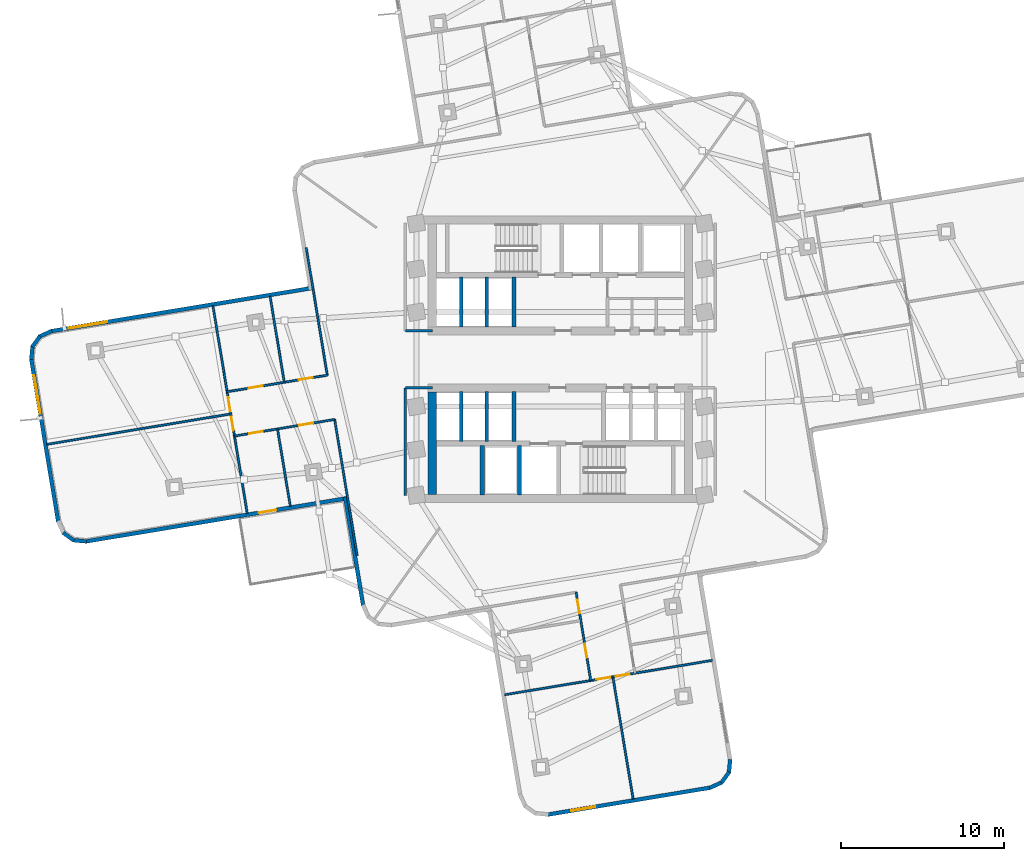
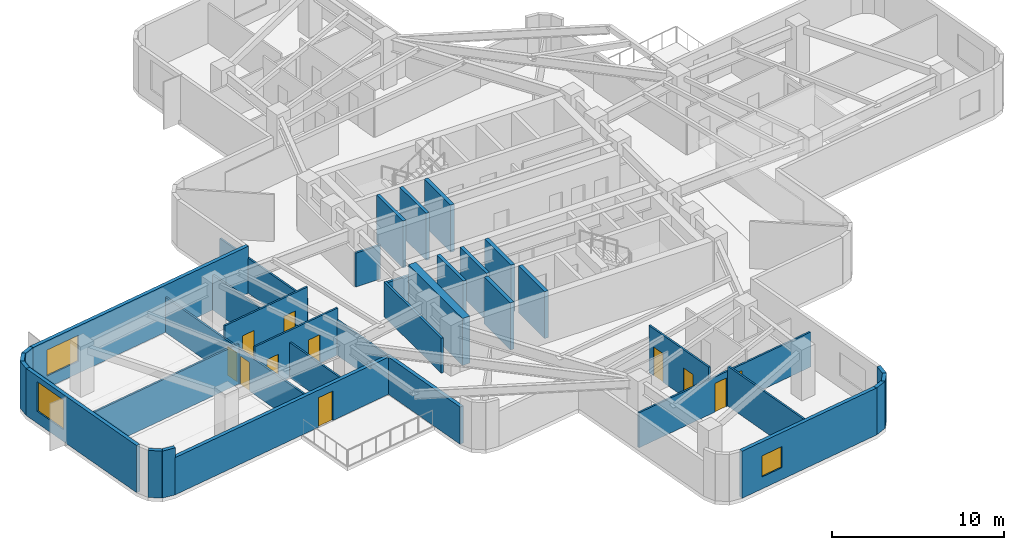
# One storey, part 3 of 9: 36 walls, 11 doors, 3 windows, 14 openings.
"""IFC4 building model written with IfcOpenShell, lengths in metres."""

from ifc_helpers import new_model, si_unit, direction, frame, frame_2d, origin, place, context, subcontext, project, spatial, rectangle, extrude, material, layer, layer_set, type_object, element, fill, save


model = new_model("IFC4")

# Units and contexts
model_context = context("Model", 3, precision=1e-05, world=origin(), true_north=direction((0.0, 1.0)))
body_context = subcontext(model_context, "Body", "Model", "MODEL_VIEW")
ifc_project = project(units=[si_unit("LENGTHUNIT", "METRE"), si_unit("AREAUNIT", "SQUARE_METRE"), si_unit("VOLUMEUNIT", "CUBIC_METRE"), si_unit("PLANEANGLEUNIT", "RADIAN"), si_unit("MASSUNIT", "GRAM", prefix="KILO")], contexts=[model_context])

# Site, building, storey
site_placement = place(None, origin())
site = spatial("IfcSite", under=ifc_project, at=site_placement, CompositionType="ELEMENT")
building_placement = place(site_placement, origin())
building = spatial("IfcBuilding", under=site, at=building_placement, Name="Solmarez Civic Tower", CompositionType="ELEMENT")
storey_placement = place(building_placement, frame((0.0, 0.0, 92.8798828125)))
storey = spatial("IfcBuildingStorey", under=building, at=storey_placement, Name="L24", CompositionType="ELEMENT", Elevation=92.8798828125)

# Wall
ifc_material_1 = material(Name="Concrete C60/75", Category="concrete")
ifc_layer_1 = layer(ifc_material_1, 0.5)
ifc_layer_set_1 = layer_set([ifc_layer_1], Name="Concrete C60/75")
wall_type_1 = type_object("IfcWallType", Name="WALL-CORE-500", PredefinedType="SHEAR", material=ifc_layer_set_1)
wall_1_placement = place(storey_placement, frame((-7.8701171875, -8.31005859375, 0.0), z_axis=(0.0, 0.0, 1.0), x_axis=(0.0, 1.0, 0.0)))
element("IfcWall", 1, at=wall_1_placement, inside=storey, type_object=wall_type_1, Name="L24 Split-Core Structural Wall SCW-W-L24", PredefinedType="SHEAR", context=body_context, shape_type="SweptSolid", body=[
    extrude(rectangle(XDim=6.31005859375, YDim=0.5, at=frame_2d((3.155029296875, 0.0))), origin(), (0.0, 0.0, 1.0), 3.340087890625),
])

# Wall, opening, door
ifc_material_2 = material(Name="Precast concrete C40/50", Category="concrete")
ifc_layer_2 = layer(ifc_material_2, 0.239990234375)
ifc_layer_set_2 = layer_set([ifc_layer_2], Name="Precast concrete C40/50")
wall_type_2 = type_object("IfcWallType", Name="WALL-EXT-240", PredefinedType="SOLIDWALL", material=ifc_layer_set_2)
wall_2_placement = place(storey_placement, frame((-13.114990234375, -8.537109375, 0.0), z_axis=(0.0, 0.0, 1.0), x_axis=(-0.986576548161, -0.163299463007, 0.0)))
wall_2 = element("IfcWall", 2, at=wall_2_placement, inside=storey, type_object=wall_type_2, Name="L24 Exterior Precast Wall 2", PredefinedType="SOLIDWALL", context=body_context, shape_type="SweptSolid", body=[
    extrude(rectangle(XDim=16.276611328125, YDim=0.239990234375, at=frame_2d((8.13818359375, 0.0))), origin(), (0.0, 0.0, 1.0), 2.64404296875),
])
opening_1_placement = place(wall_2_placement, frame((4.39990234375, 0.0, 0.0)))
opening_1 = element("IfcOpeningElement", 3, at=opening_1_placement, cuts=wall_2, Name="Opening D-06", PredefinedType="OPENING", context=body_context, shape_type="SweptSolid", body=[
    extrude(rectangle(XDim=1.10009765625, YDim=2.10009765625, at=frame_2d((0.550048828125, 1.050048828125))), frame((0.0, 0.1298828125, 0.0), z_axis=(0.0, -1.0, 0.0), x_axis=(1.0, 0.0, 0.0)), (0.0, 0.0, 1.0), 0.260009765625),
])
ifc_material_3 = material(Name="Bronze Anodised Aluminium Glazed Terrace Door", Category="aluminium")
door_type_1 = type_object("IfcDoorType", Name="DOOR-TERR-1100", OperationType="NOTDEFINED", PredefinedType="DOOR", material=ifc_material_3)
door_1_placement = place(opening_1_placement, origin())
door_1 = element("IfcDoor", 4, at=door_1_placement, inside=storey, type_object=door_type_1, Name="L24 Outdoor Terrace Glazed Door", OperationType="SINGLE_SWING_RIGHT", OverallHeight=2.10009765625, OverallWidth=1.10009765625, PredefinedType="DOOR", context=body_context, shape_type="SweptSolid", body=[
    extrude(rectangle(XDim=1.10009765625, YDim=2.10009765625, at=frame_2d((0.550048828125, 1.050048828125))), frame((0.0, 0.02490234375, 0.0), z_axis=(0.0, -1.0, 0.0), x_axis=(1.0, 0.0, 0.0)), (0.0, 0.0, 1.0), 0.050048828125),
])
fill(opening_1, door_1)

# Walls
wall_3_placement = place(storey_placement, frame((-29.123046875, -11.193115234375, 0.0), z_axis=(0.0, 0.0, 1.0), x_axis=(-0.995332708541, 0.096502846113, 0.0)))
element("IfcWall", 5, at=wall_3_placement, inside=storey, type_object=wall_type_2, Name="L24 Exterior Precast Wall 3", PredefinedType="SOLIDWALL", context=body_context, shape_type="SweptSolid", body=[
    extrude(rectangle(XDim=0.829833984375, YDim=0.239990234375, at=frame_2d((0.4150390625, 0.0))), origin(), (0.0, 0.0, 1.0), 3.340087890625),
])
wall_4_placement = place(storey_placement, frame((-29.904052734375, -11.1298828125, 0.0), z_axis=(0.0, 0.0, 1.0), x_axis=(-0.812516648433, 0.582937986427, 0.0)))
element("IfcWall", 6, at=wall_4_placement, inside=storey, type_object=wall_type_2, Name="L24 Exterior Precast Wall 4", PredefinedType="SOLIDWALL", context=body_context, shape_type="SweptSolid", body=[
    extrude(rectangle(XDim=0.814697265625, YDim=0.239990234375, at=frame_2d((0.4072265625, 0.0))), origin(), (0.0, 0.0, 1.0), 3.340087890625),
])

# Wall, opening, window
wall_5_placement = place(storey_placement, frame((-30.864013671875, -9.98388671875, 0.0), z_axis=(0.0, 0.0, 1.0), x_axis=(-0.163307635867, 0.986575195344, 0.0)))
wall_5 = element("IfcWall", 7, at=wall_5_placement, inside=storey, type_object=wall_type_2, Name="L24 Exterior Precast Wall 6", PredefinedType="SOLIDWALL", context=body_context, shape_type="SweptSolid", body=[
    extrude(rectangle(XDim=10.158447265625, YDim=0.239990234375, at=frame_2d((5.0791015625, 0.0))), origin(), (0.0, 0.0, 1.0), 3.340087890625),
])
opening_2_placement = place(wall_5_placement, frame((6.72412109375, 0.0, 0.85009765625)))
opening_2 = element("IfcOpeningElement", 8, at=opening_2_placement, cuts=wall_5, Name="Opening W-02", PredefinedType="OPENING", context=body_context, shape_type="SweptSolid", body=[
    extrude(rectangle(XDim=2.39990234375, YDim=2.10009765625, at=frame_2d((1.199951171875, 1.050048828125))), frame((0.0, 0.1298828125, 0.0), z_axis=(0.0, -1.0, 0.0), x_axis=(1.0, 0.0, 0.0)), (0.0, 0.0, 1.0), 0.260009765625),
])
ifc_material_4 = material(Name="Solar Control Bronze-Tinted Insulating Glass", Category="glass")
window_type_1 = type_object("IfcWindowType", Name="WIN-2400X2100", PartitioningType="SINGLE_PANEL", PredefinedType="WINDOW", material=ifc_material_4)
window_1_placement = place(opening_2_placement, origin())
window_1 = element("IfcWindow", 9, at=window_1_placement, inside=storey, type_object=window_type_1, Name="L24 Exterior Facade Window 6", OverallHeight=2.10009765625, OverallWidth=2.39990234375, PartitioningType="SINGLE_PANEL", PredefinedType="WINDOW", context=body_context, shape_type="SweptSolid", body=[
    extrude(rectangle(XDim=2.39990234375, YDim=2.10009765625, at=frame_2d((1.199951171875, 1.050048828125))), frame((0.0, 0.030029296875, 0.0), z_axis=(0.0, -1.0, 0.0), x_axis=(1.0, 0.0, 0.0)), (0.0, 0.0, 1.0), 0.06005859375),
])
fill(opening_2, window_1)

# Walls
wall_6_placement = place(storey_placement, frame((-32.52099609375, -0.011962890625, 0.0), z_axis=(0.0, 0.0, 1.0), x_axis=(0.096389937095, 0.995343649212, 0.0)))
element("IfcWall", 10, at=wall_6_placement, inside=storey, type_object=wall_type_2, Name="L24 Exterior Precast Wall 7", PredefinedType="SOLIDWALL", context=body_context, shape_type="SweptSolid", body=[
    extrude(rectangle(XDim=0.830810546875, YDim=0.239990234375, at=frame_2d((0.41552734375, 0.0))), origin(), (0.0, 0.0, 1.0), 3.340087890625),
])
wall_7_placement = place(storey_placement, frame((-32.4580078125, 0.77001953125, 0.0), z_axis=(0.0, 0.0, 1.0), x_axis=(0.583704032354, 0.811966503382, 0.0)))
element("IfcWall", 11, at=wall_7_placement, inside=storey, type_object=wall_type_2, Name="L24 Exterior Precast Wall 8", PredefinedType="SOLIDWALL", context=body_context, shape_type="SweptSolid", body=[
    extrude(rectangle(XDim=0.81396484375, YDim=0.239990234375, at=frame_2d((0.406982421875, 0.0))), origin(), (0.0, 0.0, 1.0), 3.340087890625),
])
wall_8_placement = place(storey_placement, frame((-32.02099609375, 1.40087890625, 0.0), z_axis=(0.0, 0.0, 1.0), x_axis=(0.911310138196, 0.411720575173, 0.0)))
element("IfcWall", 12, at=wall_8_placement, inside=storey, type_object=wall_type_2, Name="L24 Exterior Precast Wall 9", PredefinedType="SOLIDWALL", context=body_context, shape_type="SweptSolid", body=[
    extrude(rectangle(XDim=0.830810546875, YDim=0.239990234375, at=frame_2d((0.41552734375, 0.0))), origin(), (0.0, 0.0, 1.0), 3.340087890625),
])

# Wall, opening, window
wall_9_placement = place(storey_placement, frame((-31.31201171875, 1.72900390625, 0.0), z_axis=(0.0, 0.0, 1.0), x_axis=(0.986572947557, 0.163321214629, 0.0)))
wall_9 = element("IfcWall", 13, at=wall_9_placement, inside=storey, type_object=wall_type_2, Name="L24 Exterior Precast Wall 10", PredefinedType="SOLIDWALL", context=body_context, shape_type="SweptSolid", body=[
    extrude(rectangle(XDim=16.2744140625, YDim=0.239990234375, at=frame_2d((8.13720703125, 0.0))), origin(), (0.0, 0.0, 1.0), 3.340087890625),
])
opening_3_placement = place(wall_9_placement, frame((1.10009765625, 0.0, 0.85009765625)))
opening_3 = element("IfcOpeningElement", 14, at=opening_3_placement, cuts=wall_9, Name="Opening W-06", PredefinedType="OPENING", context=body_context, shape_type="SweptSolid", body=[
    extrude(rectangle(XDim=2.39990234375, YDim=1.85009765625, at=frame_2d((1.199951171875, 0.925048828125))), frame((0.0, 0.1298828125, 0.0), z_axis=(0.0, -1.0, 0.0), x_axis=(1.0, 0.0, 0.0)), (0.0, 0.0, 1.0), 0.260009765625),
])
window_type_2 = type_object("IfcWindowType", Name="WIN-2400X1850", PartitioningType="SINGLE_PANEL", PredefinedType="WINDOW", material=ifc_material_4)
window_2_placement = place(opening_3_placement, origin())
window_2 = element("IfcWindow", 15, at=window_2_placement, inside=storey, type_object=window_type_2, Name="L24 Exterior Facade Window 10", OverallHeight=1.85009765625, OverallWidth=2.39990234375, PartitioningType="SINGLE_PANEL", PredefinedType="WINDOW", context=body_context, shape_type="SweptSolid", body=[
    extrude(rectangle(XDim=2.39990234375, YDim=1.85009765625, at=frame_2d((1.199951171875, 0.925048828125))), frame((0.0, 0.030029296875, 0.0), z_axis=(0.0, -1.0, 0.0), x_axis=(1.0, 0.0, 0.0)), (0.0, 0.0, 1.0), 0.06005859375),
])
fill(opening_3, window_2)

# Walls
wall_10_placement = place(storey_placement, frame((10.44189453125, -24.5849609375, 0.0), z_axis=(0.0, 0.0, 1.0), x_axis=(-0.097377162125, -0.995247551264, 0.0)))
element("IfcWall", 16, at=wall_10_placement, inside=storey, type_object=wall_type_2, Name="L24 Exterior Precast Wall 57", PredefinedType="SOLIDWALL", context=body_context, shape_type="SweptSolid", body=[
    extrude(rectangle(XDim=0.829833984375, YDim=0.239990234375, at=frame_2d((0.4150390625, 0.0))), origin(), (0.0, 0.0, 1.0), 3.340087890625),
])
wall_11_placement = place(storey_placement, frame((10.3779296875, -25.365966796875, 0.0), z_axis=(0.0, 0.0, 1.0), x_axis=(-0.582571818602, -0.812779229662, 0.0)))
element("IfcWall", 17, at=wall_11_placement, inside=storey, type_object=wall_type_2, Name="L24 Exterior Precast Wall 58", PredefinedType="SOLIDWALL", context=body_context, shape_type="SweptSolid", body=[
    extrude(rectangle(XDim=0.8134765625, YDim=0.239990234375, at=frame_2d((0.40673828125, 0.0))), origin(), (0.0, 0.0, 1.0), 3.340087890625),
])
wall_12_placement = place(storey_placement, frame((9.94189453125, -25.9970703125, 0.0), z_axis=(0.0, 0.0, 1.0), x_axis=(-0.910818725684, -0.412806551479, 0.0)))
element("IfcWall", 18, at=wall_12_placement, inside=storey, type_object=wall_type_2, Name="L24 Exterior Precast Wall 59", PredefinedType="SOLIDWALL", context=body_context, shape_type="SweptSolid", body=[
    extrude(rectangle(XDim=0.8310546875, YDim=0.239990234375, at=frame_2d((0.41552734375, 0.0))), origin(), (0.0, 0.0, 1.0), 3.340087890625),
])

# Wall, opening, window
wall_13_placement = place(storey_placement, frame((9.23291015625, -26.325927734375, 0.0), z_axis=(0.0, 0.0, 1.0), x_axis=(-0.986573887112, -0.163315538969, 0.0)))
wall_13 = element("IfcWall", 19, at=wall_13_placement, inside=storey, type_object=wall_type_2, Name="L24 Exterior Precast Wall 60", PredefinedType="SOLIDWALL", context=body_context, shape_type="SweptSolid", body=[
    extrude(rectangle(XDim=10.159423828125, YDim=0.239990234375, at=frame_2d((5.07958984375, 0.0))), origin(), (0.0, 0.0, 1.0), 3.340087890625),
])
opening_4_placement = place(wall_13_placement, frame((7.174072265625, 0.0, 0.85009765625)))
opening_4 = element("IfcOpeningElement", 20, at=opening_4_placement, cuts=wall_13, Name="Opening W-14", PredefinedType="OPENING", context=body_context, shape_type="SweptSolid", body=[
    extrude(rectangle(XDim=1.5, YDim=1.5, at=frame_2d((0.75, 0.75))), frame((0.0, 0.1298828125, 0.0), z_axis=(0.0, -1.0, 0.0), x_axis=(1.0, 0.0, 0.0)), (0.0, 0.0, 1.0), 0.260009765625),
])
window_type_3 = type_object("IfcWindowType", Name="WIN-1500X1500", PartitioningType="SINGLE_PANEL", PredefinedType="WINDOW", material=ifc_material_4)
window_3_placement = place(opening_4_placement, origin())
window_3 = element("IfcWindow", 21, at=window_3_placement, inside=storey, type_object=window_type_3, Name="L24 Exterior Facade Window 60", OverallHeight=1.5, OverallWidth=1.5, PartitioningType="SINGLE_PANEL", PredefinedType="WINDOW", context=body_context, shape_type="SweptSolid", body=[
    extrude(rectangle(XDim=1.5, YDim=1.5, at=frame_2d((0.75, 0.75))), frame((0.0, 0.030029296875, 0.0), z_axis=(0.0, -1.0, 0.0), x_axis=(1.0, 0.0, 0.0)), (0.0, 0.0, 1.0), 0.06005859375),
])
fill(opening_4, window_3)

# Walls
wall_14_placement = place(storey_placement, frame((-12.1201171875, -15.14208984375, 0.0), z_axis=(0.0, 0.0, 1.0), x_axis=(-0.163241835244, 0.986586085056, 0.0)))
element("IfcWall", 22, at=wall_14_placement, inside=storey, type_object=wall_type_2, Name="L24 Exterior Precast Wall 71", PredefinedType="SOLIDWALL", context=body_context, shape_type="SweptSolid", body=[
    extrude(rectangle(XDim=6.77490234375, YDim=0.239990234375, at=frame_2d((3.387451171875, 0.0))), origin(), (0.0, 0.0, 1.0), 2.64404296875),
])
ifc_material_5 = material(Name="Gypsum Board Acoustic Steel-Stud Partition", Category="steel")
ifc_layer_3 = layer(ifc_material_5, 0.14990234375)
ifc_layer_set_3 = layer_set([ifc_layer_3], Name="Gypsum Board Acoustic Steel-Stud Partition")
wall_type_3 = type_object("IfcWallType", Name="WALL-INT-FIRE-150", PredefinedType="PARTITIONING", material=ifc_layer_set_3)
wall_15_placement = place(storey_placement, frame((-7.85009765625, 1.75, 0.0), z_axis=(0.0, 0.0, 1.0), x_axis=(-1.0, 0.0, 0.0)))
element("IfcWall", 23, at=wall_15_placement, inside=storey, type_object=wall_type_3, Name="L24 Interior Partition CHW-L24-WN3", PredefinedType="PARTITIONING", context=body_context, shape_type="SweptSolid", body=[
    extrude(rectangle(XDim=1.669921875, YDim=0.14990234375, at=frame_2d((0.8349609375, 0.0))), origin(), (0.0, 0.0, 1.0), 2.405029296875),
])
wall_16_placement = place(storey_placement, frame((-9.52001953125, -8.3798828125, 0.0), z_axis=(0.0, 0.0, 1.0), x_axis=(0.0, 1.0, 0.0)))
element("IfcWall", 24, at=wall_16_placement, inside=storey, type_object=wall_type_3, Name="L24 Interior Partition CHW-L24-WS1", PredefinedType="PARTITIONING", context=body_context, shape_type="SweptSolid", body=[
    extrude(rectangle(XDim=6.6298828125, YDim=0.14990234375, at=frame_2d((3.31494140625, 0.0))), origin(), (0.0, 0.0, 1.0), 2.486083984375),
])
wall_17_placement = place(storey_placement, frame((-7.85009765625, -1.75, 0.0), z_axis=(0.0, 0.0, 1.0), x_axis=(-1.0, 0.0, 0.0)))
element("IfcWall", 25, at=wall_17_placement, inside=storey, type_object=wall_type_3, Name="L24 Interior Partition CHW-L24-WS3", PredefinedType="PARTITIONING", context=body_context, shape_type="SweptSolid", body=[
    extrude(rectangle(XDim=1.669921875, YDim=0.14990234375, at=frame_2d((0.8349609375, 0.0))), origin(), (0.0, 0.0, 1.0), 2.405029296875),
])
ifc_layer_4 = layer(ifc_material_5, 0.1201171875)
ifc_layer_set_4 = layer_set([ifc_layer_4], Name="Gypsum Board Acoustic Steel-Stud Partition")
wall_type_4 = type_object("IfcWallType", Name="WALL-INT-PART-120", PredefinedType="PARTITIONING", material=ifc_layer_set_4)
wall_18_placement = place(storey_placement, frame((-13.8740234375, -3.68603515625, 0.0), z_axis=(0.0, 0.0, 1.0), x_axis=(0.163270245909, -0.98658138377, 0.0)))
element("IfcWall", 26, at=wall_18_placement, inside=storey, type_object=wall_type_4, Name="L24 Interior Partition PT-L24-W-EFL", PredefinedType="PARTITIONING", context=body_context, shape_type="SweptSolid", body=[
    extrude(rectangle(XDim=8.489013671875, YDim=0.1201171875, at=frame_2d((4.24462890625, 0.0))), origin(), (0.0, 0.0, 1.0), 2.486083984375),
])
wall_19_placement = place(storey_placement, frame((-15.6201171875, 6.860107421875, 0.0), z_axis=(0.0, 0.0, 1.0), x_axis=(0.16330811288, -0.986575116384, 0.0)))
element("IfcWall", 27, at=wall_19_placement, inside=storey, type_object=wall_type_4, Name="L24 Interior Partition PT-L24-W-EFR", PredefinedType="PARTITIONING", context=body_context, shape_type="SweptSolid", body=[
    extrude(rectangle(XDim=7.94873046875, YDim=0.1201171875, at=frame_2d((3.974365234375, 0.0))), origin(), (0.0, 0.0, 1.0), 2.486083984375),
])
wall_20_placement = place(storey_placement, frame((-17.382080078125, -4.297119140625, 0.0), z_axis=(0.0, 0.0, 1.0), x_axis=(0.163556674632, -0.986533939702, 0.0)))
element("IfcWall", 28, at=wall_20_placement, inside=storey, type_object=wall_type_4, Name="L24 Interior Partition PT-L24-W-LM", PredefinedType="PARTITIONING", context=body_context, shape_type="SweptSolid", body=[
    extrude(rectangle(XDim=4.79443359375, YDim=0.1201171875, at=frame_2d((2.397216796875, 0.0))), origin(), (0.0, 0.0, 1.0), 2.486083984375),
])
wall_21_placement = place(storey_placement, frame((-17.842041015625, 3.873046875, 0.0), z_axis=(0.0, 0.0, 1.0), x_axis=(0.16329307855, -0.986577604904, 0.0)))
element("IfcWall", 29, at=wall_21_placement, inside=storey, type_object=wall_type_4, Name="L24 Interior Partition PT-L24-W-RM", PredefinedType="PARTITIONING", context=body_context, shape_type="SweptSolid", body=[
    extrude(rectangle(XDim=5.33447265625, YDim=0.1201171875, at=frame_2d((2.667236328125, 0.0))), origin(), (0.0, 0.0, 1.0), 2.486083984375),
])

# Wall, openings, doors
wall_22_placement = place(storey_placement, frame((-20.029052734375, -4.715087890625, 0.0), z_axis=(0.0, 0.0, 1.0), x_axis=(0.986548927366, 0.163466247017, 0.0)))
wall_22 = element("IfcWall", 30, at=wall_22_placement, inside=storey, type_object=wall_type_4, Name="L24 Interior Partition PT-L24-W-SL", PredefinedType="PARTITIONING", context=body_context, shape_type="SweptSolid", body=[
    extrude(rectangle(XDim=6.239990234375, YDim=0.1201171875, at=frame_2d((3.1201171875, 0.0))), origin(), (0.0, 0.0, 1.0), 3.340087890625),
])
opening_5_placement = place(wall_22_placement, frame((4.030029296875, 0.0, 0.0)))
opening_5 = element("IfcOpeningElement", 31, at=opening_5_placement, cuts=wall_22, Name="Opening D-14", PredefinedType="OPENING", context=body_context, shape_type="SweptSolid", body=[
    extrude(rectangle(XDim=0.860107421875, YDim=2.0400390625, at=frame_2d((0.43017578125, 1.02001953125))), frame((0.0, 0.070068359375, 0.0), z_axis=(0.0, -1.0, 0.0), x_axis=(1.0, 0.0, 0.0)), (0.0, 0.0, 1.0), 0.14013671875),
])
opening_6_placement = place(wall_22_placement, frame((0.909912109375, 0.0, 0.0)))
opening_6 = element("IfcOpeningElement", 32, at=opening_6_placement, cuts=wall_22, Name="Opening D-14", PredefinedType="OPENING", context=body_context, shape_type="SweptSolid", body=[
    extrude(rectangle(XDim=0.860107421875, YDim=2.0400390625, at=frame_2d((0.43017578125, 1.02001953125))), frame((0.0, 0.070068359375, 0.0), z_axis=(0.0, -1.0, 0.0), x_axis=(1.0, 0.0, 0.0)), (0.0, 0.0, 1.0), 0.14013671875),
])
ifc_material_6 = material(Name="Timber Storage and Pantry Door", Category="wood")
door_type_2 = type_object("IfcDoorType", Name="DOOR-INT-850", OperationType="NOTDEFINED", PredefinedType="DOOR", material=ifc_material_6)
door_2_placement = place(opening_5_placement, origin())
door_2 = element("IfcDoor", 33, at=door_2_placement, inside=storey, type_object=door_type_2, Name="L24 Press Study Room First West Door", OperationType="SINGLE_SWING_LEFT", OverallHeight=2.0400390625, OverallWidth=0.860107421875, PredefinedType="DOOR", context=body_context, shape_type="SweptSolid", body=[
    extrude(rectangle(XDim=0.860107421875, YDim=2.0400390625, at=frame_2d((0.43017578125, 1.02001953125))), frame((0.0, 0.02490234375, 0.0), z_axis=(0.0, -1.0, 0.0), x_axis=(1.0, 0.0, 0.0)), (0.0, 0.0, 1.0), 0.050048828125),
])
fill(opening_5, door_2)
door_3_placement = place(opening_6_placement, origin())
door_3 = element("IfcDoor", 34, at=door_3_placement, inside=storey, type_object=door_type_2, Name="L24 Catering Pantry Second West Door", OperationType="SINGLE_SWING_RIGHT", OverallHeight=2.0400390625, OverallWidth=0.860107421875, PredefinedType="DOOR", context=body_context, shape_type="SweptSolid", body=[
    extrude(rectangle(XDim=0.860107421875, YDim=2.0400390625, at=frame_2d((0.43017578125, 1.02001953125))), frame((0.0, 0.02490234375, 0.0), z_axis=(0.0, -1.0, 0.0), x_axis=(1.0, 0.0, 0.0)), (0.0, 0.0, 1.0), 0.050048828125),
])
fill(opening_6, door_3)

wall_23_placement = place(storey_placement, frame((-14.323974609375, -0.971923828125, 0.0), z_axis=(0.0, 0.0, 1.0), x_axis=(-0.986548927366, -0.163466247017, 0.0)))
wall_23 = element("IfcWall", 35, at=wall_23_placement, inside=storey, type_object=wall_type_4, Name="L24 Interior Partition PT-L24-W-SR", PredefinedType="PARTITIONING", context=body_context, shape_type="SweptSolid", body=[
    extrude(rectangle(XDim=6.239990234375, YDim=0.1201171875, at=frame_2d((3.1201171875, 0.0))), origin(), (0.0, 0.0, 1.0), 3.340087890625),
])
opening_7_placement = place(wall_23_placement, frame((0.909912109375, 0.0, 0.0)))
opening_7 = element("IfcOpeningElement", 36, at=opening_7_placement, cuts=wall_23, Name="Opening D-14", PredefinedType="OPENING", context=body_context, shape_type="SweptSolid", body=[
    extrude(rectangle(XDim=0.860107421875, YDim=2.0400390625, at=frame_2d((0.43017578125, 1.02001953125))), frame((0.0, 0.070068359375, 0.0), z_axis=(0.0, -1.0, 0.0), x_axis=(1.0, 0.0, 0.0)), (0.0, 0.0, 1.0), 0.14013671875),
])
opening_8_placement = place(wall_23_placement, frame((4.030029296875, 0.0, 0.0)))
opening_8 = element("IfcOpeningElement", 37, at=opening_8_placement, cuts=wall_23, Name="Opening D-14", PredefinedType="OPENING", context=body_context, shape_type="SweptSolid", body=[
    extrude(rectangle(XDim=0.860107421875, YDim=2.0400390625, at=frame_2d((0.43017578125, 1.02001953125))), frame((0.0, 0.070068359375, 0.0), z_axis=(0.0, -1.0, 0.0), x_axis=(1.0, 0.0, 0.0)), (0.0, 0.0, 1.0), 0.14013671875),
])
door_4_placement = place(opening_7_placement, origin())
door_4 = element("IfcDoor", 38, at=door_4_placement, inside=storey, type_object=door_type_2, Name="L24 Public Exhibition Library Third West Door", OperationType="SINGLE_SWING_RIGHT", OverallHeight=2.0400390625, OverallWidth=0.860107421875, PredefinedType="DOOR", context=body_context, shape_type="SweptSolid", body=[
    extrude(rectangle(XDim=0.860107421875, YDim=2.0400390625, at=frame_2d((0.43017578125, 1.02001953125))), frame((0.0, 0.02490234375, 0.0), z_axis=(0.0, -1.0, 0.0), x_axis=(1.0, 0.0, 0.0)), (0.0, 0.0, 1.0), 0.050048828125),
])
fill(opening_7, door_4)
door_5_placement = place(opening_8_placement, origin())
door_5 = element("IfcDoor", 39, at=door_5_placement, inside=storey, type_object=door_type_2, Name="L24 Civic Lecture Classroom Fourth West Door", OperationType="SINGLE_SWING_LEFT", OverallHeight=2.0400390625, OverallWidth=0.860107421875, PredefinedType="DOOR", context=body_context, shape_type="SweptSolid", body=[
    extrude(rectangle(XDim=0.860107421875, YDim=2.0400390625, at=frame_2d((0.43017578125, 1.02001953125))), frame((0.0, 0.02490234375, 0.0), z_axis=(0.0, -1.0, 0.0), x_axis=(1.0, 0.0, 0.0)), (0.0, 0.0, 1.0), 0.050048828125),
])
fill(opening_8, door_5)

# Wall
wall_24_placement = place(storey_placement, frame((-20.31396484375, -3.363037109375, 0.0), z_axis=(0.0, 0.0, 1.0), x_axis=(-0.986565802435, -0.163364370245, 0.0)))
element("IfcWall", 40, at=wall_24_placement, inside=storey, type_object=wall_type_4, Name="L24 Interior Partition PT-L24-W-TM", PredefinedType="PARTITIONING", context=body_context, shape_type="SweptSolid", body=[
    extrude(rectangle(XDim=11.404296875, YDim=0.1201171875, at=frame_2d((5.7021484375, 0.0))), origin(), (0.0, 0.0, 1.0), 2.83203125),
])

# Wall, openings, doors
wall_25_placement = place(storey_placement, frame((-19.242919921875, -9.465087890625, 0.0), z_axis=(0.0, 0.0, 1.0), x_axis=(-0.163348643691, 0.98656840645, 0.0)))
wall_25 = element("IfcWall", 41, at=wall_25_placement, inside=storey, type_object=wall_type_4, Name="L24 Interior Partition PT-L24-W-END", PredefinedType="PARTITIONING", context=body_context, shape_type="SweptSolid", body=[
    extrude(rectangle(XDim=12.9296875, YDim=0.1201171875, at=frame_2d((6.46484375, 0.0))), origin(), (0.0, 0.0, 1.0), 2.486083984375),
])
opening_9_placement = place(wall_25_placement, frame((6.364990234375, 0.0, 0.0)))
opening_9 = element("IfcOpeningElement", 42, at=opening_9_placement, cuts=wall_25, Name="Opening D-14", PredefinedType="OPENING", context=body_context, shape_type="SweptSolid", body=[
    extrude(rectangle(XDim=0.860107421875, YDim=2.0400390625, at=frame_2d((0.43017578125, 1.02001953125))), frame((0.0, 0.070068359375, 0.0), z_axis=(0.0, -1.0, 0.0), x_axis=(1.0, 0.0, 0.0)), (0.0, 0.0, 1.0), 0.14013671875),
])
opening_10_placement = place(wall_25_placement, frame((5.1650390625, 0.0, 0.0)))
opening_10 = element("IfcOpeningElement", 43, at=opening_10_placement, cuts=wall_25, Name="Opening D-14", PredefinedType="OPENING", context=body_context, shape_type="SweptSolid", body=[
    extrude(rectangle(XDim=0.860107421875, YDim=2.0400390625, at=frame_2d((0.43017578125, 1.02001953125))), frame((0.0, 0.070068359375, 0.0), z_axis=(0.0, -1.0, 0.0), x_axis=(1.0, 0.0, 0.0)), (0.0, 0.0, 1.0), 0.14013671875),
])
door_6_placement = place(opening_9_placement, origin())
door_6 = element("IfcDoor", 44, at=door_6_placement, inside=storey, type_object=door_type_2, Name="L24 Civic Lecture Classroom Sixth West Door", OperationType="SINGLE_SWING_RIGHT", OverallHeight=2.0400390625, OverallWidth=0.860107421875, PredefinedType="DOOR", context=body_context, shape_type="SweptSolid", body=[
    extrude(rectangle(XDim=0.860107421875, YDim=2.0400390625, at=frame_2d((0.43017578125, 1.02001953125))), frame((0.0, 0.02490234375, 0.0), z_axis=(0.0, -1.0, 0.0), x_axis=(1.0, 0.0, 0.0)), (0.0, 0.0, 1.0), 0.050048828125),
])
fill(opening_9, door_6)
door_7_placement = place(opening_10_placement, origin())
door_7 = element("IfcDoor", 45, at=door_7_placement, inside=storey, type_object=door_type_2, Name="L24 Public Exhibition Library Fifth West Door", OperationType="SINGLE_SWING_LEFT", OverallHeight=2.0400390625, OverallWidth=0.860107421875, PredefinedType="DOOR", context=body_context, shape_type="SweptSolid", body=[
    extrude(rectangle(XDim=0.860107421875, YDim=2.0400390625, at=frame_2d((0.43017578125, 1.02001953125))), frame((0.0, 0.02490234375, 0.0), z_axis=(0.0, -1.0, 0.0), x_axis=(1.0, 0.0, 0.0)), (0.0, 0.0, 1.0), 0.050048828125),
])
fill(opening_10, door_7)

wall_26_placement = place(storey_placement, frame((0.971923828125, -14.323974609375, 0.0), z_axis=(0.0, 0.0, 1.0), x_axis=(0.163389271883, -0.986561678677, 0.0)))
wall_26 = element("IfcWall", 46, at=wall_26_placement, inside=storey, type_object=wall_type_4, Name="L24 Interior Partition PT-L24-S-SR", PredefinedType="PARTITIONING", context=body_context, shape_type="SweptSolid", body=[
    extrude(rectangle(XDim=5.48974609375, YDim=0.1201171875, at=frame_2d((2.744873046875, 0.0))), origin(), (0.0, 0.0, 1.0), 3.340087890625),
])
opening_11_placement = place(wall_26_placement, frame((0.449951171875, 0.0, 0.0)))
opening_11 = element("IfcOpeningElement", 47, at=opening_11_placement, cuts=wall_26, Name="Opening D-14", PredefinedType="OPENING", context=body_context, shape_type="SweptSolid", body=[
    extrude(rectangle(XDim=0.860107421875, YDim=2.0400390625, at=frame_2d((0.43017578125, 1.02001953125))), frame((0.0, 0.070068359375, 0.0), z_axis=(0.0, -1.0, 0.0), x_axis=(1.0, 0.0, 0.0)), (0.0, 0.0, 1.0), 0.14013671875),
])
opening_12_placement = place(wall_26_placement, frame((3.195068359375, 0.0, 0.0)))
opening_12 = element("IfcOpeningElement", 48, at=opening_12_placement, cuts=wall_26, Name="Opening D-14", PredefinedType="OPENING", context=body_context, shape_type="SweptSolid", body=[
    extrude(rectangle(XDim=0.860107421875, YDim=2.0400390625, at=frame_2d((0.43017578125, 1.02001953125))), frame((0.0, 0.070068359375, 0.0), z_axis=(0.0, -1.0, 0.0), x_axis=(1.0, 0.0, 0.0)), (0.0, 0.0, 1.0), 0.14013671875),
])
door_8_placement = place(opening_11_placement, origin())
door_8 = element("IfcDoor", 49, at=door_8_placement, inside=storey, type_object=door_type_2, Name="L24 Civic Lecture Classroom Third South Door", OperationType="SINGLE_SWING_RIGHT", OverallHeight=2.0400390625, OverallWidth=0.860107421875, PredefinedType="DOOR", context=body_context, shape_type="SweptSolid", body=[
    extrude(rectangle(XDim=0.860107421875, YDim=2.0400390625, at=frame_2d((0.43017578125, 1.02001953125))), frame((0.0, 0.02490234375, 0.0), z_axis=(0.0, -1.0, 0.0), x_axis=(1.0, 0.0, 0.0)), (0.0, 0.0, 1.0), 0.050048828125),
])
fill(opening_11, door_8)
door_9_placement = place(opening_12_placement, origin())
door_9 = element("IfcDoor", 50, at=door_9_placement, inside=storey, type_object=door_type_2, Name="L24 Press Study Room Fourth South Door", OperationType="SINGLE_SWING_LEFT", OverallHeight=2.0400390625, OverallWidth=0.860107421875, PredefinedType="DOOR", context=body_context, shape_type="SweptSolid", body=[
    extrude(rectangle(XDim=0.860107421875, YDim=2.0400390625, at=frame_2d((0.43017578125, 1.02001953125))), frame((0.0, 0.02490234375, 0.0), z_axis=(0.0, -1.0, 0.0), x_axis=(1.0, 0.0, 0.0)), (0.0, 0.0, 1.0), 0.050048828125),
])
fill(opening_12, door_9)

# Wall
wall_27_placement = place(storey_placement, frame((3.239990234375, -19.573974609375, 0.0), z_axis=(0.0, 0.0, 1.0), x_axis=(0.16336126604, -0.986566316452, 0.0)))
element("IfcWall", 51, at=wall_27_placement, inside=storey, type_object=wall_type_4, Name="L24 Interior Partition PT-L24-S-TM", PredefinedType="PARTITIONING", context=body_context, shape_type="SweptSolid", body=[
    extrude(rectangle(XDim=7.5546875, YDim=0.1201171875, at=frame_2d((3.77734375, 0.0))), origin(), (0.0, 0.0, 1.0), 2.83203125),
])

# Wall, openings, doors
wall_28_placement = place(storey_placement, frame((9.342041015625, -18.5029296875, 0.0), z_axis=(0.0, 0.0, 1.0), x_axis=(-0.98656840645, -0.163348643691, 0.0)))
wall_28 = element("IfcWall", 52, at=wall_28_placement, inside=storey, type_object=wall_type_4, Name="L24 Interior Partition PT-L24-S-END", PredefinedType="PARTITIONING", context=body_context, shape_type="SweptSolid", body=[
    extrude(rectangle(XDim=12.9296875, YDim=0.1201171875, at=frame_2d((6.46484375, 0.0))), origin(), (0.0, 0.0, 1.0), 2.486083984375),
])
opening_13_placement = place(wall_28_placement, frame((6.364990234375, 0.0, 0.0)))
opening_13 = element("IfcOpeningElement", 53, at=opening_13_placement, cuts=wall_28, Name="Opening D-14", PredefinedType="OPENING", context=body_context, shape_type="SweptSolid", body=[
    extrude(rectangle(XDim=0.860107421875, YDim=2.0400390625, at=frame_2d((0.43017578125, 1.02001953125))), frame((0.0, 0.070068359375, 0.0), z_axis=(0.0, -1.0, 0.0), x_axis=(1.0, 0.0, 0.0)), (0.0, 0.0, 1.0), 0.14013671875),
])
opening_14_placement = place(wall_28_placement, frame((5.1640625, 0.0, 0.0)))
opening_14 = element("IfcOpeningElement", 54, at=opening_14_placement, cuts=wall_28, Name="Opening D-14", PredefinedType="OPENING", context=body_context, shape_type="SweptSolid", body=[
    extrude(rectangle(XDim=0.860107421875, YDim=2.0400390625, at=frame_2d((0.43017578125, 1.02001953125))), frame((0.0, 0.070068359375, 0.0), z_axis=(0.0, -1.0, 0.0), x_axis=(1.0, 0.0, 0.0)), (0.0, 0.0, 1.0), 0.14013671875),
])
door_10_placement = place(opening_13_placement, origin())
door_10 = element("IfcDoor", 55, at=door_10_placement, inside=storey, type_object=door_type_2, Name="L24 Press Study Room Sixth South Door", OperationType="SINGLE_SWING_RIGHT", OverallHeight=2.0400390625, OverallWidth=0.860107421875, PredefinedType="DOOR", context=body_context, shape_type="SweptSolid", body=[
    extrude(rectangle(XDim=0.860107421875, YDim=2.0400390625, at=frame_2d((0.43017578125, 1.02001953125))), frame((0.0, 0.02490234375, 0.0), z_axis=(0.0, -1.0, 0.0), x_axis=(1.0, 0.0, 0.0)), (0.0, 0.0, 1.0), 0.050048828125),
])
fill(opening_13, door_10)
door_11_placement = place(opening_14_placement, origin())
door_11 = element("IfcDoor", 56, at=door_11_placement, inside=storey, type_object=door_type_2, Name="L24 Civic Lecture Classroom Fifth South Door", OperationType="SINGLE_SWING_LEFT", OverallHeight=2.0400390625, OverallWidth=0.860107421875, PredefinedType="DOOR", context=body_context, shape_type="SweptSolid", body=[
    extrude(rectangle(XDim=0.860107421875, YDim=2.0400390625, at=frame_2d((0.43017578125, 1.02001953125))), frame((0.0, 0.02490234375, 0.0), z_axis=(0.0, -1.0, 0.0), x_axis=(1.0, 0.0, 0.0)), (0.0, 0.0, 1.0), 0.050048828125),
])
fill(opening_14, door_11)

# Walls
ifc_material_7 = material(Name="Concrete C50/60", Category="concrete")
ifc_layer_5 = layer(ifc_material_7, 0.300048828125)
ifc_layer_set_5 = layer_set([ifc_layer_5], Name="Concrete C50/60")
wall_type_5 = type_object("IfcWallType", Name="WALL-STR-300", PredefinedType="SOLIDWALL", material=ifc_layer_set_5)
wall_29_placement = place(storey_placement, frame((-2.85009765625, 1.97998046875, 0.0), z_axis=(0.0, 0.0, 1.0), x_axis=(0.0, 1.0, 0.0)))
element("IfcWall", 57, at=wall_29_placement, inside=storey, type_object=wall_type_5, Name="L24 Split-Core Structural Wall SHW-NL1-L24", PredefinedType="SOLIDWALL", context=body_context, shape_type="SweptSolid", body=[
    extrude(rectangle(XDim=3.070068359375, YDim=0.25, at=frame_2d((1.53515625, 0.0))), origin(), (0.0, 0.0, 1.0), 3.340087890625),
])
for number, where, z_axis, x_axis, name in (
    (58, (-2.5, -8.340087890625, 0.0), (0.0, 0.0, 1.0), (0.0, 1.0, 0.0), "L24 Split-Core Structural Wall SHW-S2-L24"),
    (59, (-4.800048828125, -8.340087890625, 0.0), (0.0, 0.0, 1.0), (0.0, 1.0, 0.0), "L24 Split-Core Structural Wall SHW-S3-L24"),
):
    element("IfcWall", number, at=place(storey_placement, frame(where, z_axis=z_axis, x_axis=x_axis)), inside=storey, type_object=wall_type_5, Name=name, PredefinedType="SOLIDWALL", context=body_context, shape_type="SweptSolid", body=[
        extrude(rectangle(XDim=3.0400390625, YDim=0.25, at=frame_2d((1.52001953125, 0.0))), origin(), (0.0, 0.0, 1.0), 3.340087890625),
    ])
wall_30_placement = place(storey_placement, frame((-2.85009765625, -5.050048828125, 0.0), z_axis=(0.0, 0.0, 1.0), x_axis=(0.0, 1.0, 0.0)))
element("IfcWall", 60, at=wall_30_placement, inside=storey, type_object=wall_type_5, Name="L24 Split-Core Structural Wall SHW-SL1-L24", PredefinedType="SOLIDWALL", context=body_context, shape_type="SweptSolid", body=[
    extrude(rectangle(XDim=3.070068359375, YDim=0.25, at=frame_2d((1.53515625, 0.0))), origin(), (0.0, 0.0, 1.0), 3.340087890625),
])
for number, where, z_axis, x_axis, name in (
    (61, (-6.080078125, 1.97998046875, 0.0), (0.0, 0.0, 1.0), (0.0, 1.0, 0.0), "L24 Split-Core Structural Wall SHW-PLH-L24-1"),
    (62, (-4.52001953125, 1.97998046875, 0.0), (0.0, 0.0, 1.0), (0.0, 1.0, 0.0), "L24 Split-Core Structural Wall SHW-PLH-L24-2"),
    (63, (-6.080078125, -5.050048828125, 0.0), (0.0, 0.0, 1.0), (0.0, 1.0, 0.0), "L24 Split-Core Structural Wall SHW-PLM-L24-1"),
    (64, (-4.52001953125, -5.050048828125, 0.0), (0.0, 0.0, 1.0), (0.0, 1.0, 0.0), "L24 Split-Core Structural Wall SHW-PLM-L24-2"),
):
    element("IfcWall", number, at=place(storey_placement, frame(where, z_axis=z_axis, x_axis=x_axis)), inside=storey, type_object=wall_type_5, Name=name, PredefinedType="SOLIDWALL", context=body_context, shape_type="SweptSolid", body=[
        extrude(rectangle(XDim=3.070068359375, YDim=0.219970703125, at=frame_2d((1.53515625, 0.0))), origin(), (0.0, 0.0, 1.0), 3.340087890625),
    ])

save(model, "model.ifc")
